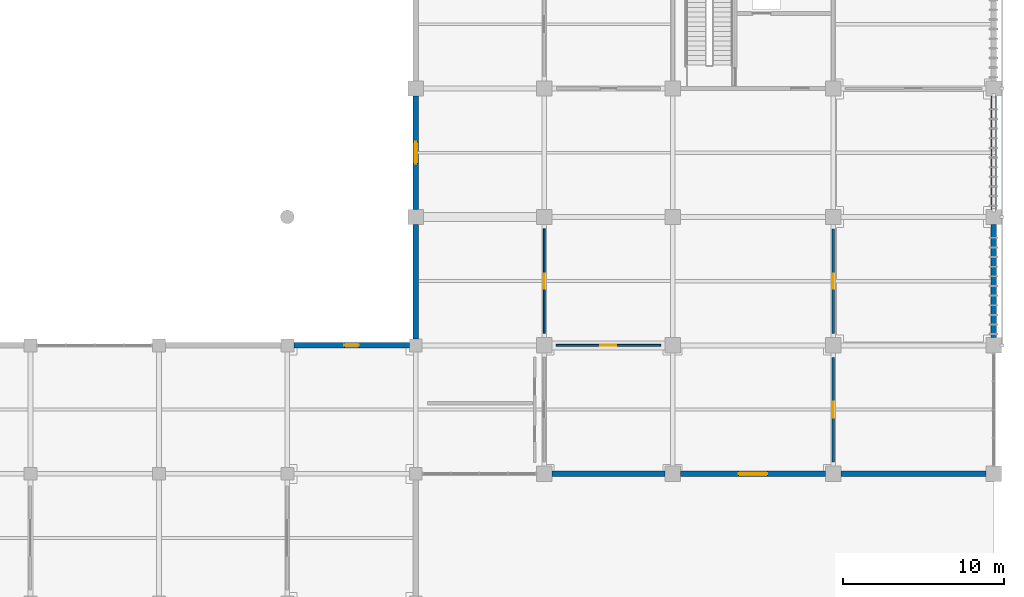
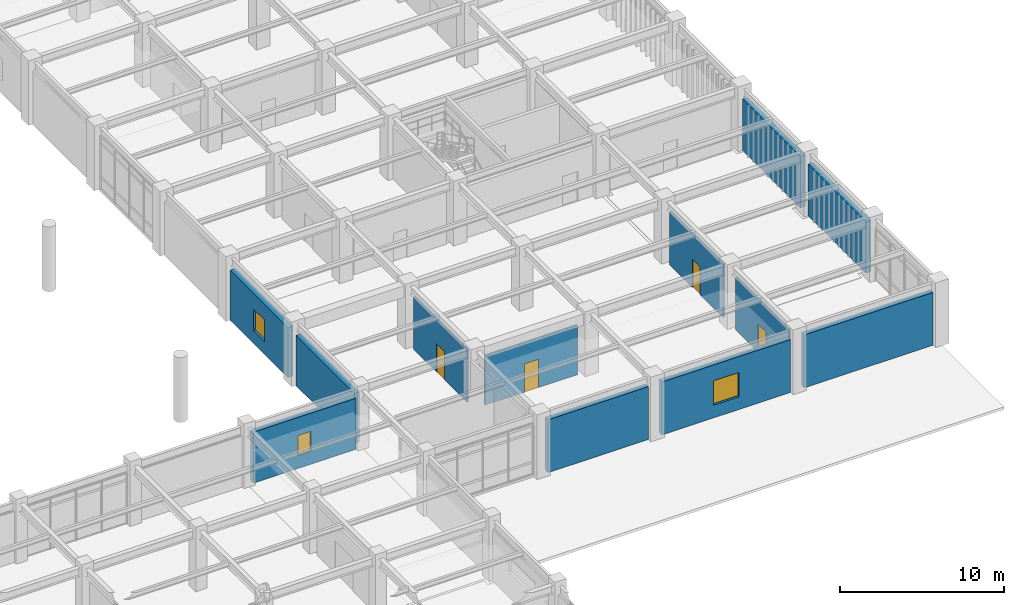
# One storey, part 75 of 109: 12 walls, 4 doors, 3 windows, 7 openings.
"""IFC4 building model written with IfcOpenShell, lengths in metres."""

from ifc_helpers import new_model, si_unit, direction, frame, frame_2d, origin, place, context, subcontext, project, spatial, rectangle, extrude, material, layer, layer_set, type_object, element, fill, save


model = new_model("IFC4")

# Units and contexts
model_context = context("Model", 3, precision=1e-05, world=origin(), true_north=direction((0.0, 1.0)))
body_context = subcontext(model_context, "Body", "Model", "MODEL_VIEW")
ifc_project = project(units=[si_unit("LENGTHUNIT", "METRE"), si_unit("AREAUNIT", "SQUARE_METRE"), si_unit("VOLUMEUNIT", "CUBIC_METRE"), si_unit("PLANEANGLEUNIT", "RADIAN"), si_unit("MASSUNIT", "GRAM", prefix="KILO")], contexts=[model_context])

# Site, building, storey
site_placement = place(None, origin())
site = spatial("IfcSite", under=ifc_project, at=site_placement, CompositionType="ELEMENT")
building_placement = place(site_placement, origin())
building = spatial("IfcBuilding", under=site, at=building_placement, Name="Haebicheon Civic Stadium", CompositionType="ELEMENT")
storey_placement = place(building_placement, frame((0.0, 0.0, 9.60009765625)))
storey = spatial("IfcBuildingStorey", under=building, at=storey_placement, Name="L03", CompositionType="ELEMENT", Elevation=9.60009765625)

# Wall, opening, window
ifc_material_1 = material(Name="Concrete C40/50", Category="concrete")
ifc_layer_1 = layer(ifc_material_1, 0.35009765625, Name="Concrete C40/50")
ifc_layer_set_1 = layer_set([ifc_layer_1], Name="Concrete C40/50")
wall_type_1 = type_object("IfcWallType", Name="EW-BM-350", PredefinedType="SOLIDWALL", material=ifc_layer_set_1)
wall_1_placement = place(storey_placement, frame((192.39990234375, 48.0, 0.0), z_axis=(0.0, 0.0, 1.0), x_axis=(1.0, 0.0, 0.0)))
wall_1 = element("IfcWall", 1, at=wall_1_placement, inside=storey, type_object=wall_type_1, material=ifc_layer_set_1, Name="L03 board-marked concrete facade wall 24-06-N", PredefinedType="SOLIDWALL", context=body_context, shape_type="SweptSolid", body=[
    extrude(rectangle(XDim=7.2001953125, YDim=0.35009765625, at=frame_2d((3.60009765625, 0.0))), origin(), (0.0, 0.0, 1.0), 3.789794921875),
])
opening_1_placement = place(wall_1_placement, frame((3.14990234375, 0.0, 0.949951171875)))
opening_1 = element("IfcOpeningElement", 2, at=opening_1_placement, cuts=wall_1, Name="Opening WIN-090x150", PredefinedType="OPENING", context=body_context, shape_type="SweptSolid", body=[
    extrude(rectangle(XDim=0.89990234375, YDim=1.5, at=frame_2d((0.449951171875, 0.75))), frame((0.0, 0.18505859375, 0.0), z_axis=(0.0, -1.0, 0.0), x_axis=(1.0, 0.0, 0.0)), (0.0, 0.0, 1.0), 0.3701171875),
])
ifc_material_2 = material(Name="Anodised aluminium and laminated glass", Category="aluminium")
window_type_1 = type_object("IfcWindowType", Name="WIN-090x150", PartitioningType="SINGLE_PANEL", PredefinedType="WINDOW", material=ifc_material_2)
window_1_placement = place(opening_1_placement, origin())
window_1 = element("IfcWindow", 3, at=window_1_placement, inside=storey, type_object=window_type_1, material=ifc_material_2, Name="L03 facade window 089", OverallHeight=1.5, OverallWidth=0.89990234375, PartitioningType="SINGLE_PANEL", PredefinedType="WINDOW", context=body_context, shape_type="SweptSolid", body=[
    extrude(rectangle(XDim=0.89990234375, YDim=1.5, at=frame_2d((0.449951171875, 0.75))), frame((0.0, 0.030029296875, 0.0), z_axis=(0.0, -1.0, 0.0), x_axis=(1.0, 0.0, 0.0)), (0.0, 0.0, 1.0), 0.06005859375),
])
fill(opening_1, window_1)

# Wall
wall_2_placement = place(storey_placement, frame((200.0, 48.39990234375, 0.0), z_axis=(0.0, 0.0, 1.0), x_axis=(0.0, 1.0, 0.0)))
element("IfcWall", 4, at=wall_2_placement, inside=storey, type_object=wall_type_1, material=ifc_layer_set_1, Name="L03 board-marked concrete facade wall 25-06-W", PredefinedType="SOLIDWALL", context=body_context, shape_type="SweptSolid", body=[
    extrude(rectangle(XDim=7.125, YDim=0.35009765625, at=frame_2d((3.5625, 0.0))), origin(), (0.0, 0.0, 1.0), 3.719970703125),
])

# Wall, opening, window
wall_3_placement = place(storey_placement, frame((200.0, 56.47509765625, 0.0), z_axis=(0.0, 0.0, 1.0), x_axis=(0.0, 1.0, 0.0)))
wall_3 = element("IfcWall", 5, at=wall_3_placement, inside=storey, type_object=wall_type_1, material=ifc_layer_set_1, Name="L03 board-marked concrete facade wall 25-07-W", PredefinedType="SOLIDWALL", context=body_context, shape_type="SweptSolid", body=[
    extrude(rectangle(XDim=7.0498046875, YDim=0.35009765625, at=frame_2d((3.52490234375, 0.0))), origin(), (0.0, 0.0, 1.0), 3.719970703125),
])
opening_2_placement = place(wall_3_placement, frame((2.85009765625, 0.0, 0.949951171875)))
opening_2 = element("IfcOpeningElement", 6, at=opening_2_placement, cuts=wall_3, Name="Opening WIN-135x160", PredefinedType="OPENING", context=body_context, shape_type="SweptSolid", body=[
    extrude(rectangle(XDim=1.35009765625, YDim=1.60009765625, at=frame_2d((0.675048828125, 0.800048828125))), frame((0.0, 0.18505859375, 0.0), z_axis=(0.0, -1.0, 0.0), x_axis=(1.0, 0.0, 0.0)), (0.0, 0.0, 1.0), 0.3701171875),
])
ifc_material_3 = material(Name="Anodised aluminium and laminated glass", Category="aluminium")
window_type_2 = type_object("IfcWindowType", Name="WIN-135x160", PartitioningType="SINGLE_PANEL", PredefinedType="WINDOW", material=ifc_material_3)
window_2_placement = place(opening_2_placement, origin())
window_2 = element("IfcWindow", 7, at=window_2_placement, inside=storey, type_object=window_type_2, material=ifc_material_3, Name="L03 facade window 092", OverallHeight=1.60009765625, OverallWidth=1.35009765625, PartitioningType="SINGLE_PANEL", PredefinedType="WINDOW", context=body_context, shape_type="SweptSolid", body=[
    extrude(rectangle(XDim=1.35009765625, YDim=1.60009765625, at=frame_2d((0.675048828125, 0.800048828125))), frame((0.0, 0.030029296875, 0.0), z_axis=(0.0, -1.0, 0.0), x_axis=(1.0, 0.0, 0.0)), (0.0, 0.0, 1.0), 0.06005859375),
])
fill(opening_2, window_2)

# Wall
wall_4_placement = place(storey_placement, frame((208.47509765625, 40.0, 0.0), z_axis=(0.0, 0.0, 1.0), x_axis=(1.0, 0.0, 0.0)))
element("IfcWall", 8, at=wall_4_placement, inside=storey, type_object=wall_type_1, material=ifc_layer_set_1, Name="L03 board-marked concrete facade wall 26-05-S", PredefinedType="SOLIDWALL", context=body_context, shape_type="SweptSolid", body=[
    extrude(rectangle(XDim=7.0498046875, YDim=0.35009765625, at=frame_2d((3.52490234375, 0.0))), origin(), (0.0, 0.0, 1.0), 3.929931640625),
])

# Wall, opening, window
wall_5_placement = place(storey_placement, frame((216.47509765625, 40.0, 0.0), z_axis=(0.0, 0.0, 1.0), x_axis=(1.0, 0.0, 0.0)))
wall_5 = element("IfcWall", 9, at=wall_5_placement, inside=storey, type_object=wall_type_1, material=ifc_layer_set_1, Name="L03 board-marked concrete facade wall 27-05-S", PredefinedType="SOLIDWALL", context=body_context, shape_type="SweptSolid", body=[
    extrude(rectangle(XDim=9.0498046875, YDim=0.35009765625, at=frame_2d((4.52490234375, 0.0))), origin(), (0.0, 0.0, 1.0), 3.929931640625),
])
opening_3_placement = place(wall_5_placement, frame((3.625, 0.0, 0.949951171875)))
opening_3 = element("IfcOpeningElement", 10, at=opening_3_placement, cuts=wall_5, Name="Opening WIN-180x180", PredefinedType="OPENING", context=body_context, shape_type="SweptSolid", body=[
    extrude(rectangle(XDim=1.800048828125, YDim=1.800048828125, at=frame_2d((0.89990234375, 0.89990234375))), frame((0.0, 0.18505859375, 0.0), z_axis=(0.0, -1.0, 0.0), x_axis=(1.0, 0.0, 0.0)), (0.0, 0.0, 1.0), 0.3701171875),
])
ifc_material_4 = material(Name="Anodised aluminium and laminated glass", Category="aluminium")
window_type_3 = type_object("IfcWindowType", Name="WIN-180x180", PartitioningType="SINGLE_PANEL", PredefinedType="WINDOW", material=ifc_material_4)
window_3_placement = place(opening_3_placement, origin())
window_3 = element("IfcWindow", 11, at=window_3_placement, inside=storey, type_object=window_type_3, material=ifc_material_4, Name="L03 facade window 095", OverallHeight=1.800048828125, OverallWidth=1.800048828125, PartitioningType="SINGLE_PANEL", PredefinedType="WINDOW", context=body_context, shape_type="SweptSolid", body=[
    extrude(rectangle(XDim=1.800048828125, YDim=1.800048828125, at=frame_2d((0.89990234375, 0.89990234375))), frame((0.0, 0.030029296875, 0.0), z_axis=(0.0, -1.0, 0.0), x_axis=(1.0, 0.0, 0.0)), (0.0, 0.0, 1.0), 0.06005859375),
])
fill(opening_3, window_3)

# Walls
wall_6_placement = place(storey_placement, frame((226.47509765625, 40.0, 0.0), z_axis=(0.0, 0.0, 1.0), x_axis=(1.0, 0.0, 0.0)))
element("IfcWall", 12, at=wall_6_placement, inside=storey, type_object=wall_type_1, material=ifc_layer_set_1, Name="L03 board-marked concrete facade wall 28-05-S", PredefinedType="SOLIDWALL", context=body_context, shape_type="SweptSolid", body=[
    extrude(rectangle(XDim=9.0498046875, YDim=0.35009765625, at=frame_2d((4.52490234375, 0.0))), origin(), (0.0, 0.0, 1.0), 3.929931640625),
])
for number, where, z_axis, x_axis, name in (
    (13, (236.0, 48.47509765625, 0.0), (0.0, 0.0, 1.0), (0.0, 1.0, 0.0), "L03 board-marked concrete facade wall 29-06-E"),
    (14, (236.0, 56.47509765625, 0.0), (0.0, 0.0, 1.0), (0.0, 1.0, 0.0), "L03 board-marked concrete facade wall 29-07-E"),
):
    element("IfcWall", number, at=place(storey_placement, frame(where, z_axis=z_axis, x_axis=x_axis)), inside=storey, type_object=wall_type_1, material=ifc_layer_set_1, Name=name, PredefinedType="SOLIDWALL", context=body_context, shape_type="SweptSolid", body=[
        extrude(rectangle(XDim=7.0498046875, YDim=0.35009765625, at=frame_2d((3.52490234375, 0.0))), origin(), (0.0, 0.0, 1.0), 3.829833984375),
    ])

# Wall, opening, door
ifc_material_5 = material(Name="Anodised aluminium and laminated glass", Category="aluminium")
ifc_layer_2 = layer(ifc_material_5, 0.10009765625, Name="Anodised aluminium and laminated glass")
ifc_layer_set_2 = layer_set([ifc_layer_2], Name="Anodised aluminium and laminated glass")
wall_type_2 = type_object("IfcWallType", Name="IW-PRT-100", PredefinedType="PARTITIONING", material=ifc_layer_set_2)
wall_7_placement = place(storey_placement, frame((208.0, 48.75, 0.0), z_axis=(0.0, 0.0, 1.0), x_axis=(0.0, 1.0, 0.0)))
wall_7 = element("IfcWall", 15, at=wall_7_placement, inside=storey, type_object=wall_type_2, material=ifc_layer_set_2, Name="L03 Youth Sports Classroom partition wall", PredefinedType="PARTITIONING", context=body_context, shape_type="SweptSolid", body=[
    extrude(rectangle(XDim=6.5, YDim=0.10009765625, at=frame_2d((3.25, 0.0))), origin(), (0.0, 0.0, 1.0), 3.929931640625),
])
opening_4_placement = place(wall_7_placement, frame((2.77490234375, 0.0, 0.0)))
opening_4 = element("IfcOpeningElement", 16, at=opening_4_placement, cuts=wall_7, Name="Opening D-L03-295", PredefinedType="OPENING", context=body_context, shape_type="SweptSolid", body=[
    extrude(rectangle(XDim=0.949951171875, YDim=2.10009765625, at=frame_2d((0.47509765625, 1.050048828125))), frame((0.0, 0.06005859375, 0.0), z_axis=(0.0, -1.0, 0.0), x_axis=(1.0, 0.0, 0.0)), (0.0, 0.0, 1.0), 0.1201171875),
])
ifc_material_6 = material(Name="Engineered hardwood timber", Category="wood")
door_type_1 = type_object("IfcDoorType", Name="ID-RM-0950", OperationType="NOTDEFINED", PredefinedType="DOOR", material=ifc_material_6)
door_1_placement = place(opening_4_placement, origin())
door_1 = element("IfcDoor", 17, at=door_1_placement, inside=storey, type_object=door_type_1, material=ifc_material_6, Name="L03 Youth Sports Classroom entrance door D-L03-295", OperationType="SINGLE_SWING_LEFT", OverallHeight=2.10009765625, OverallWidth=0.949951171875, PredefinedType="DOOR", context=body_context, shape_type="SweptSolid", body=[
    extrude(rectangle(XDim=0.949951171875, YDim=2.10009765625, at=frame_2d((0.47509765625, 1.050048828125))), frame((0.0, 0.02490234375, 0.0), z_axis=(0.0, -1.0, 0.0), x_axis=(1.0, 0.0, 0.0)), (0.0, 0.0, 1.0), 0.050048828125),
])
fill(opening_4, door_1)

ifc_material_7 = material(Name="Gypsum plasterboard on steel studs", Category="gypsum")
ifc_layer_3 = layer(ifc_material_7, 0.1201171875, Name="Gypsum plasterboard on steel studs")
ifc_layer_set_3 = layer_set([ifc_layer_3], Name="Gypsum plasterboard on steel studs")
wall_type_3 = type_object("IfcWallType", Name="IW-PRT-120", PredefinedType="PARTITIONING", material=ifc_layer_set_3)
wall_8_placement = place(storey_placement, frame((208.75, 48.0, 0.0), z_axis=(0.0, 0.0, 1.0), x_axis=(1.0, 0.0, 0.0)))
wall_8 = element("IfcWall", 18, at=wall_8_placement, inside=storey, type_object=wall_type_3, material=ifc_layer_set_3, Name="L03 Sports Science Teaching Lab partition wall", PredefinedType="PARTITIONING", context=body_context, shape_type="SweptSolid", body=[
    extrude(rectangle(XDim=6.5, YDim=0.1201171875, at=frame_2d((3.25, 0.0))), origin(), (0.0, 0.0, 1.0), 3.679931640625),
])
opening_5_placement = place(wall_8_placement, frame((2.75, 0.0, 0.0)))
opening_5 = element("IfcOpeningElement", 19, at=opening_5_placement, cuts=wall_8, Name="Opening D-L03-302", PredefinedType="OPENING", context=body_context, shape_type="SweptSolid", body=[
    extrude(rectangle(XDim=1.0, YDim=2.10009765625, at=frame_2d((0.5, 1.050048828125))), frame((0.0, 0.070068359375, 0.0), z_axis=(0.0, -1.0, 0.0), x_axis=(1.0, 0.0, 0.0)), (0.0, 0.0, 1.0), 0.14013671875),
])
ifc_material_8 = material(Name="Engineered hardwood timber", Category="wood")
door_type_2 = type_object("IfcDoorType", Name="ID-RM-1000", OperationType="NOTDEFINED", PredefinedType="DOOR", material=ifc_material_8)
door_2_placement = place(opening_5_placement, origin())
door_2 = element("IfcDoor", 20, at=door_2_placement, inside=storey, type_object=door_type_2, material=ifc_material_8, Name="L03 Sports Science Teaching Lab entrance door D-L03-302", OperationType="SINGLE_SWING_RIGHT", OverallHeight=2.10009765625, OverallWidth=1.0, PredefinedType="DOOR", context=body_context, shape_type="SweptSolid", body=[
    extrude(rectangle(XDim=1.0, YDim=2.10009765625, at=frame_2d((0.5, 1.050048828125))), frame((0.0, 0.02490234375, 0.0), z_axis=(0.0, -1.0, 0.0), x_axis=(1.0, 0.0, 0.0)), (0.0, 0.0, 1.0), 0.050048828125),
])
fill(opening_5, door_2)

ifc_material_9 = material(Name="Gypsum plasterboard on steel studs", Category="gypsum")
ifc_layer_4 = layer(ifc_material_9, 0.1298828125, Name="Gypsum plasterboard on steel studs")
ifc_layer_set_4 = layer_set([ifc_layer_4], Name="Gypsum plasterboard on steel studs")
wall_type_4 = type_object("IfcWallType", Name="IW-PRT-130", PredefinedType="PARTITIONING", material=ifc_layer_set_4)
wall_9_placement = place(storey_placement, frame((226.0, 40.75, 0.0), z_axis=(0.0, 0.0, 1.0), x_axis=(0.0, 1.0, 0.0)))
wall_9 = element("IfcWall", 21, at=wall_9_placement, inside=storey, type_object=wall_type_4, material=ifc_layer_set_4, Name="L03 Sports Science Teaching Lab partition wall", PredefinedType="PARTITIONING", context=body_context, shape_type="SweptSolid", body=[
    extrude(rectangle(XDim=6.5, YDim=0.1298828125, at=frame_2d((3.25, 0.0))), origin(), (0.0, 0.0, 1.0), 3.929931640625),
])
opening_6_placement = place(wall_9_placement, frame((2.75, 0.0, 0.0)))
opening_6 = element("IfcOpeningElement", 22, at=opening_6_placement, cuts=wall_9, Name="Opening D-L03-308", PredefinedType="OPENING", context=body_context, shape_type="SweptSolid", body=[
    extrude(rectangle(XDim=1.0, YDim=2.10009765625, at=frame_2d((0.5, 1.050048828125))), frame((0.0, 0.074951171875, 0.0), z_axis=(0.0, -1.0, 0.0), x_axis=(1.0, 0.0, 0.0)), (0.0, 0.0, 1.0), 0.14990234375),
])
door_3_placement = place(opening_6_placement, origin())
door_3 = element("IfcDoor", 23, at=door_3_placement, inside=storey, type_object=door_type_2, material=ifc_material_8, Name="L03 Sports Science Teaching Lab entrance door D-L03-308", OperationType="SINGLE_SWING_RIGHT", OverallHeight=2.10009765625, OverallWidth=1.0, PredefinedType="DOOR", context=body_context, shape_type="SweptSolid", body=[
    extrude(rectangle(XDim=1.0, YDim=2.10009765625, at=frame_2d((0.5, 1.050048828125))), frame((0.0, 0.02490234375, 0.0), z_axis=(0.0, -1.0, 0.0), x_axis=(1.0, 0.0, 0.0)), (0.0, 0.0, 1.0), 0.050048828125),
])
fill(opening_6, door_3)

ifc_material_10 = material(Name="Concrete C35/45", Category="concrete")
ifc_layer_5 = layer(ifc_material_10, 0.159912109375, Name="Concrete C35/45")
ifc_layer_set_5 = layer_set([ifc_layer_5], Name="Concrete C35/45")
wall_type_5 = type_object("IfcWallType", Name="IW-PRT-160", PredefinedType="PARTITIONING", material=ifc_layer_set_5)
wall_10_placement = place(storey_placement, frame((226.0, 48.75, 0.0), z_axis=(0.0, 0.0, 1.0), x_axis=(0.0, 1.0, 0.0)))
wall_10 = element("IfcWall", 24, at=wall_10_placement, inside=storey, type_object=wall_type_5, material=ifc_layer_set_5, Name="L03 Sports Medicine Rehabilitation Clinic partition wall", PredefinedType="PARTITIONING", context=body_context, shape_type="SweptSolid", body=[
    extrude(rectangle(XDim=6.5, YDim=0.159912109375, at=frame_2d((3.25, 0.0))), origin(), (0.0, 0.0, 1.0), 3.929931640625),
])
opening_7_placement = place(wall_10_placement, frame((2.77490234375, 0.0, 0.0)))
opening_7 = element("IfcOpeningElement", 25, at=opening_7_placement, cuts=wall_10, Name="Opening D-L03-309", PredefinedType="OPENING", context=body_context, shape_type="SweptSolid", body=[
    extrude(rectangle(XDim=0.949951171875, YDim=2.10009765625, at=frame_2d((0.47509765625, 1.050048828125))), frame((0.0, 0.08984375, 0.0), z_axis=(0.0, -1.0, 0.0), x_axis=(1.0, 0.0, 0.0)), (0.0, 0.0, 1.0), 0.179931640625),
])
door_4_placement = place(opening_7_placement, origin())
door_4 = element("IfcDoor", 26, at=door_4_placement, inside=storey, type_object=door_type_1, material=ifc_material_6, Name="L03 Sports Medicine Rehabilitation Clinic entrance door D-L03-309", OperationType="SINGLE_SWING_LEFT", OverallHeight=2.10009765625, OverallWidth=0.949951171875, PredefinedType="DOOR", context=body_context, shape_type="SweptSolid", body=[
    extrude(rectangle(XDim=0.949951171875, YDim=2.10009765625, at=frame_2d((0.47509765625, 1.050048828125))), frame((0.0, 0.02490234375, 0.0), z_axis=(0.0, -1.0, 0.0), x_axis=(1.0, 0.0, 0.0)), (0.0, 0.0, 1.0), 0.050048828125),
])
fill(opening_7, door_4)

save(model, "model.ifc")
